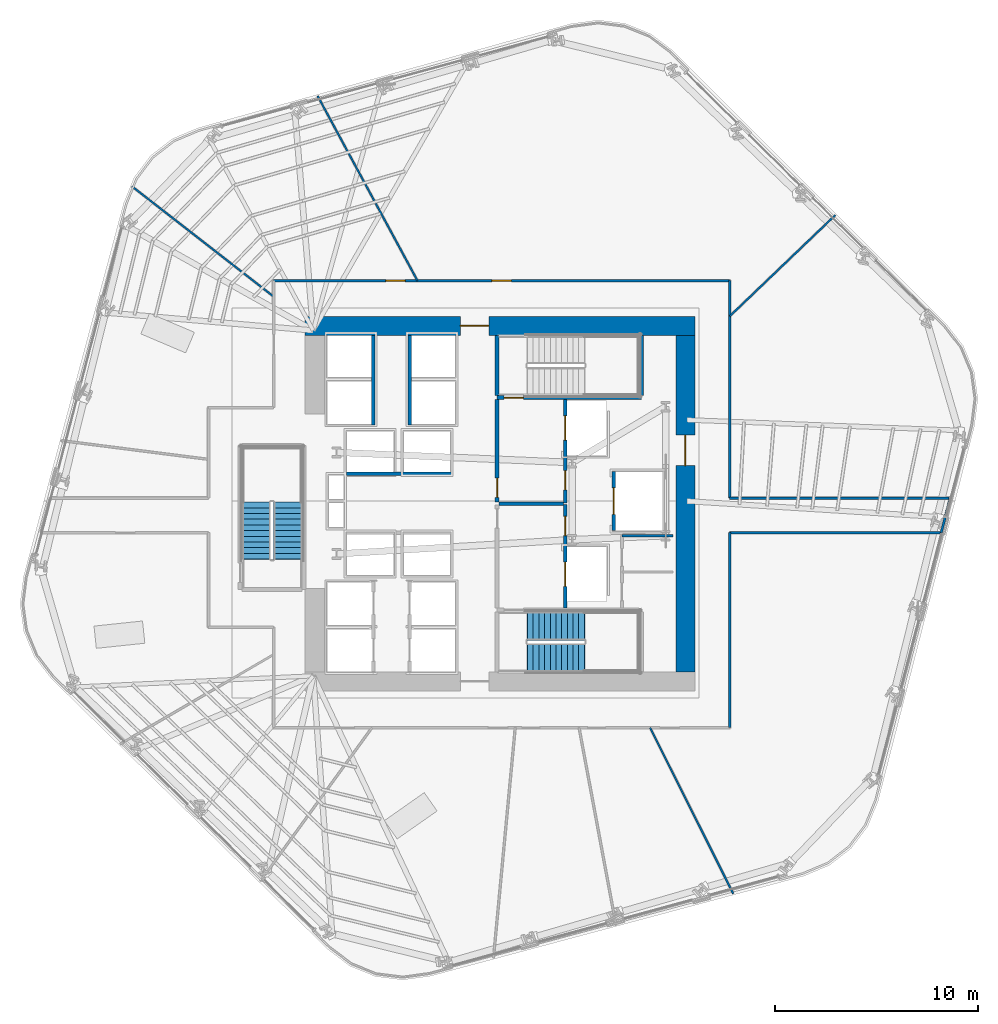
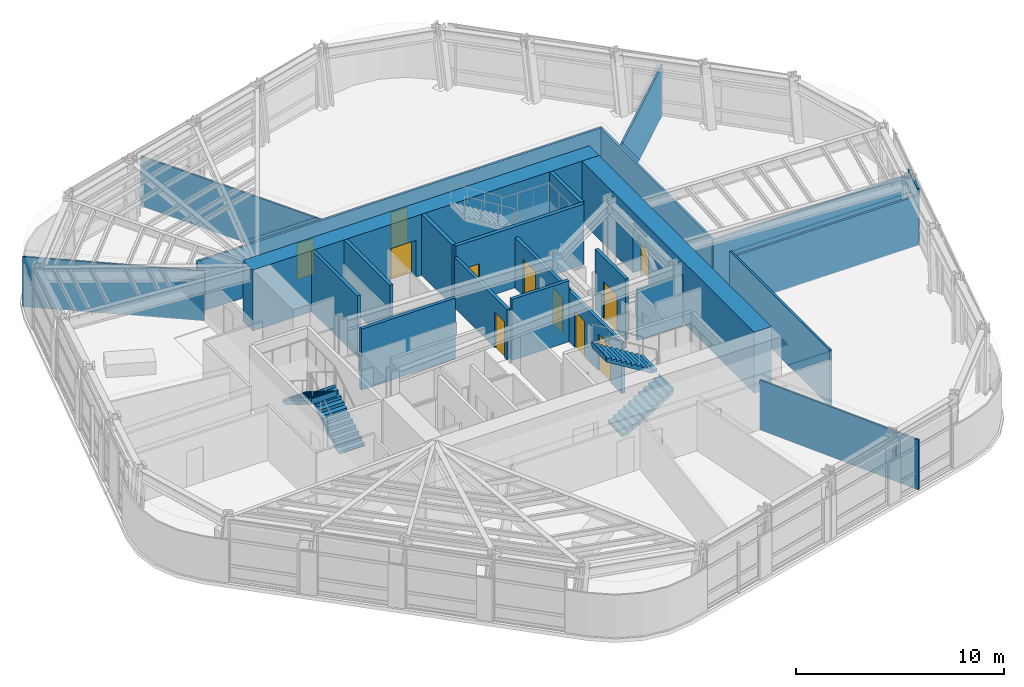
# One storey, part 9 of 16: 24 walls, 11 doors, 4 stair flights, 11 openings, 2 elements without a shape of their own.
"""IFC4 building model written with IfcOpenShell, lengths in metres."""

from ifc_helpers import new_model, si_unit, direction, frame, frame_2d, origin, place, context, subcontext, project, spatial, polyline, rectangle, outline, extrude, material, layer, layer_set, type_object, element, fill, aggregate, save


model = new_model("IFC4")

# Units and contexts
model_context = context("Model", 3, precision=1e-05, world=origin(), true_north=direction((0.0, 1.0)))
body_context = subcontext(model_context, "Body", "Model", "MODEL_VIEW")
ifc_project = project(units=[si_unit("LENGTHUNIT", "METRE"), si_unit("AREAUNIT", "SQUARE_METRE"), si_unit("VOLUMEUNIT", "CUBIC_METRE"), si_unit("PLANEANGLEUNIT", "RADIAN"), si_unit("MASSUNIT", "GRAM", prefix="KILO")], contexts=[model_context])

# Site, building, storey
site_placement = place(None, origin())
site = spatial("IfcSite", under=ifc_project, at=site_placement, CompositionType="ELEMENT")
building_placement = place(site_placement, origin())
building = spatial("IfcBuilding", under=site, at=building_placement, Name="Valkerne Bourse Tower", CompositionType="ELEMENT")
storey_placement = place(building_placement, frame((0.0, 0.0, 89.60009765625)))
storey = spatial("IfcBuildingStorey", under=building, at=storey_placement, Name="L22", CompositionType="ELEMENT", Elevation=89.60009765625)

# Wall, opening, door
ifc_material_1 = material(Name="Concrete C70/85", Category="concrete")
ifc_layer_1 = layer(ifc_material_1, 0.949951171875)
ifc_layer_set_1 = layer_set([ifc_layer_1], Name="Concrete C70/85")
wall_type_1 = type_object("IfcWallType", Name="W-CORE-950", PredefinedType="SHEAR", material=ifc_layer_set_1)
wall_1_placement = place(storey_placement, frame((37.199951171875, 35.625, 0.0), z_axis=(0.0, 0.0, 1.0), x_axis=(1.0, 0.0, 0.0)))
wall_1 = element("IfcWall", 1, at=wall_1_placement, inside=storey, type_object=wall_type_1, Name="L22 Core Shear Wall NORTH", PredefinedType="SHEAR", context=body_context, shape_type="SweptSolid", body=[
    extrude(rectangle(XDim=19.199951171875, YDim=0.949951171875, at=frame_2d((9.60009765625, 0.0))), origin(), (0.0, 0.0, 1.0), 3.579833984375),
])
opening_1_placement = place(wall_1_placement, frame((7.64990234375, 0.0, 0.0)))
opening_1 = element("IfcOpeningElement", 2, at=opening_1_placement, cuts=wall_1, Name="Opening D-PL-1400", PredefinedType="OPENING", context=body_context, shape_type="SweptSolid", body=[
    extrude(rectangle(XDim=1.39990234375, YDim=2.14990234375, at=frame_2d((0.699951171875, 1.074951171875))), frame((0.0, 0.48486328125, 0.0), z_axis=(0.0, -1.0, 0.0), x_axis=(1.0, 0.0, 0.0)), (0.0, 0.0, 1.0), 0.969970703125),
])
ifc_material_2 = material(Name="Galvanised Painted Steel", Category="steel")
door_type_1 = type_object("IfcDoorType", Name="DR-PLT-1400", OperationType="DOUBLE_DOOR_SINGLE_SWING", PredefinedType="DOOR", material=ifc_material_2)
door_1_placement = place(opening_1_placement, origin())
door_1 = element("IfcDoor", 3, at=door_1_placement, inside=storey, type_object=door_type_1, Name="L22 North Passenger Lift Hall Fire Door", OperationType="DOUBLE_DOOR_SINGLE_SWING", OverallHeight=2.14990234375, OverallWidth=1.39990234375, PredefinedType="DOOR", context=body_context, shape_type="SweptSolid", body=[
    extrude(rectangle(XDim=1.39990234375, YDim=2.14990234375, at=frame_2d((0.699951171875, 1.074951171875))), frame((0.0, 0.02490234375, 0.0), z_axis=(0.0, -1.0, 0.0), x_axis=(1.0, 0.0, 0.0)), (0.0, 0.0, 1.0), 0.050048828125),
])
fill(opening_1, door_1)

wall_2_placement = place(storey_placement, frame((55.925048828125, 18.60009765625, 0.0), z_axis=(0.0, 0.0, 1.0), x_axis=(0.0, 1.0, 0.0)))
wall_2 = element("IfcWall", 4, at=wall_2_placement, inside=storey, type_object=wall_type_1, Name="L22 Core Shear Wall EAST", PredefinedType="SHEAR", context=body_context, shape_type="SweptSolid", body=[
    extrude(rectangle(XDim=16.5498046875, YDim=0.949951171875, at=frame_2d((8.27490234375, 0.0))), origin(), (0.0, 0.0, 1.0), 3.579833984375),
])
opening_2_placement = place(wall_2_placement, frame((10.14990234375, 0.0, 0.0)))
opening_2 = element("IfcOpeningElement", 5, at=opening_2_placement, cuts=wall_2, Name="Opening D-CR-1500", PredefinedType="OPENING", context=body_context, shape_type="SweptSolid", body=[
    extrude(rectangle(XDim=1.5, YDim=2.14990234375, at=frame_2d((0.75, 1.074951171875))), frame((0.0, 0.48486328125, 0.0), z_axis=(0.0, -1.0, 0.0), x_axis=(1.0, 0.0, 0.0)), (0.0, 0.0, 1.0), 0.969970703125),
])
door_type_2 = type_object("IfcDoorType", Name="DR-CORR-1500", OperationType="DOUBLE_DOOR_SINGLE_SWING", PredefinedType="DOOR", material=ifc_material_2)
door_2_placement = place(opening_2_placement, origin())
door_2 = element("IfcDoor", 6, at=door_2_placement, inside=storey, type_object=door_type_2, Name="L22 East Core Service Lobby Fire Door", OperationType="DOUBLE_DOOR_SINGLE_SWING", OverallHeight=2.14990234375, OverallWidth=1.5, PredefinedType="DOOR", context=body_context, shape_type="SweptSolid", body=[
    extrude(rectangle(XDim=1.5, YDim=2.14990234375, at=frame_2d((0.75, 1.074951171875))), frame((0.0, 0.02490234375, 0.0), z_axis=(0.0, -1.0, 0.0), x_axis=(1.0, 0.0, 0.0)), (0.0, 0.0, 1.0), 0.050048828125),
])
fill(opening_2, door_2)

# Walls
ifc_material_3 = material(Name="Gypsum Board Steel-Stud Partition", Category="steel")
ifc_layer_2 = layer(ifc_material_3, 0.117919921875)
ifc_layer_set_2 = layer_set([ifc_layer_2], Name="Gypsum Board Steel-Stud Partition")
wall_type_2 = type_object("IfcWallType", Name="W-CORR-140", PredefinedType="PARTITIONING", material=ifc_layer_set_2)
wall_3_placement = place(storey_placement, frame((58.10009765625, 27.14990234375, 0.0), z_axis=(0.0, 0.0, 1.0), x_axis=(1.0, 0.0, 0.0)))
element("IfcWall", 7, at=wall_3_placement, inside=storey, type_object=wall_type_2, Name="L22 Corridor Enclosure Wall", PredefinedType="PARTITIONING", context=body_context, shape_type="SweptSolid", body=[
    extrude(rectangle(XDim=10.80859375, YDim=0.117919921875, at=frame_2d((5.404296875, 0.0))), origin(), (0.0, 0.0, 1.0), 2.92236328125),
])
wall_4_placement = place(storey_placement, frame((68.9423828125, 27.1064453125, 0.0), z_axis=(0.0, 0.0, 1.0), x_axis=(-0.24854364553, -0.968620697831, 0.0)))
element("IfcWall", 8, at=wall_4_placement, inside=storey, type_object=wall_type_2, Name="L22 Corridor Enclosure Wall", PredefinedType="PARTITIONING", context=body_context, shape_type="SweptSolid", body=[
    extrude(rectangle(XDim=1.710205078125, YDim=0.117919921875, at=frame_2d((0.85498046875, 0.0))), origin(), (0.0, 0.0, 1.0), 3.27978515625),
])
wall_5_placement = place(storey_placement, frame((68.517333984375, 25.449951171875, 0.0), z_axis=(0.0, 0.0, 1.0), x_axis=(-1.0, 0.0, 0.0)))
element("IfcWall", 9, at=wall_5_placement, inside=storey, type_object=wall_type_2, Name="L22 Corridor Enclosure Wall", PredefinedType="PARTITIONING", context=body_context, shape_type="SweptSolid", body=[
    extrude(rectangle(XDim=10.417236328125, YDim=0.117919921875, at=frame_2d((5.20849609375, 0.0))), origin(), (0.0, 0.0, 1.0), 2.92236328125),
])
wall_6_placement = place(storey_placement, frame((58.10009765625, 25.449951171875, 0.0), z_axis=(0.0, 0.0, 1.0), x_axis=(0.0, -1.0, 0.0)))
element("IfcWall", 10, at=wall_6_placement, inside=storey, type_object=wall_type_2, Name="L22 Corridor Enclosure Wall", PredefinedType="PARTITIONING", context=body_context, shape_type="SweptSolid", body=[
    extrude(rectangle(XDim=9.599853515625, YDim=0.117919921875, at=frame_2d((4.7998046875, 0.0))), origin(), (0.0, 0.0, 1.0), 3.27978515625),
])

# Wall, openings, doors
wall_7_placement = place(storey_placement, frame((35.64990234375, 37.85009765625, 0.0), z_axis=(0.0, 0.0, 1.0), x_axis=(1.0, 0.0, 0.0)))
wall_7 = element("IfcWall", 11, at=wall_7_placement, inside=storey, type_object=wall_type_2, Name="L22 Corridor Enclosure Wall", PredefinedType="PARTITIONING", context=body_context, shape_type="SweptSolid", body=[
    extrude(rectangle(XDim=22.4501953125, YDim=0.117919921875, at=frame_2d((11.22509765625, 0.0))), origin(), (0.0, 0.0, 1.0), 3.021240234375),
])
opening_3_placement = place(wall_7_placement, frame((5.530029296875, 0.0, 0.0)))
opening_3 = element("IfcOpeningElement", 12, at=opening_3_placement, cuts=wall_7, Name="Opening D-OF-950", PredefinedType="OPENING", context=body_context, shape_type="SweptSolid", body=[
    extrude(rectangle(XDim=0.949951171875, YDim=2.10009765625, at=frame_2d((0.47509765625, 1.050048828125))), frame((0.0, 0.06884765625, 0.0), z_axis=(0.0, -1.0, 0.0), x_axis=(1.0, 0.0, 0.0)), (0.0, 0.0, 1.0), 0.137939453125),
])
opening_4_placement = place(wall_7_placement, frame((10.75, 0.0, 0.0)))
opening_4 = element("IfcOpeningElement", 13, at=opening_4_placement, cuts=wall_7, Name="Opening D-OF-950", PredefinedType="OPENING", context=body_context, shape_type="SweptSolid", body=[
    extrude(rectangle(XDim=0.949951171875, YDim=2.10009765625, at=frame_2d((0.47509765625, 1.050048828125))), frame((0.0, 0.06884765625, 0.0), z_axis=(0.0, -1.0, 0.0), x_axis=(1.0, 0.0, 0.0)), (0.0, 0.0, 1.0), 0.137939453125),
])
ifc_material_4 = material(Name="Architectural White Oak Timber", Category="wood")
door_type_3 = type_object("IfcDoorType", Name="DR-OFF-950", OperationType="NOTDEFINED", PredefinedType="DOOR", material=ifc_material_4)
door_3_placement = place(opening_3_placement, origin())
door_3 = element("IfcDoor", 14, at=door_3_placement, inside=storey, type_object=door_type_3, Name="L22 L22 Hospitality Catering Kitchen 4 Door", OperationType="SINGLE_SWING_LEFT", OverallHeight=2.10009765625, OverallWidth=0.949951171875, PredefinedType="DOOR", context=body_context, shape_type="SweptSolid", body=[
    extrude(rectangle(XDim=0.949951171875, YDim=2.10009765625, at=frame_2d((0.47509765625, 1.050048828125))), frame((0.0, 0.02490234375, 0.0), z_axis=(0.0, -1.0, 0.0), x_axis=(1.0, 0.0, 0.0)), (0.0, 0.0, 1.0), 0.050048828125),
])
fill(opening_3, door_3)
door_4_placement = place(opening_4_placement, origin())
door_4 = element("IfcDoor", 15, at=door_4_placement, inside=storey, type_object=door_type_3, Name="L22 L22 Occupational Wellness Clinic 8 Door", OperationType="SINGLE_SWING_RIGHT", OverallHeight=2.10009765625, OverallWidth=0.949951171875, PredefinedType="DOOR", context=body_context, shape_type="SweptSolid", body=[
    extrude(rectangle(XDim=0.949951171875, YDim=2.10009765625, at=frame_2d((0.47509765625, 1.050048828125))), frame((0.0, 0.02490234375, 0.0), z_axis=(0.0, -1.0, 0.0), x_axis=(1.0, 0.0, 0.0)), (0.0, 0.0, 1.0), 0.050048828125),
])
fill(opening_4, door_4)

# Walls
wall_8_placement = place(storey_placement, frame((58.10009765625, 37.85009765625, 0.0), z_axis=(0.0, 0.0, 1.0), x_axis=(0.0, -1.0, 0.0)))
element("IfcWall", 16, at=wall_8_placement, inside=storey, type_object=wall_type_2, Name="L22 Corridor Enclosure Wall", PredefinedType="PARTITIONING", context=body_context, shape_type="SweptSolid", body=[
    extrude(rectangle(XDim=10.7001953125, YDim=0.117919921875, at=frame_2d((5.35009765625, 0.0))), origin(), (0.0, 0.0, 1.0), 2.962890625),
])
ifc_material_5 = material(Name="Gypsum Fire-Rated Shaftwall", Category="gypsum")
ifc_layer_3 = layer(ifc_material_5, 0.179931640625)
ifc_layer_set_3 = layer_set([ifc_layer_3], Name="Gypsum Fire-Rated Shaftwall")
wall_type_3 = type_object("IfcWallType", Name="W-FSAE-180", PredefinedType="PARTITIONING", material=ifc_layer_set_3)
wall_9_placement = place(storey_placement, frame((46.739990234375, 26.8798828125, 0.0), z_axis=(0.0, 0.0, 1.0), x_axis=(1.0, 0.0, 0.0)))
element("IfcWall", 17, at=wall_9_placement, inside=storey, type_object=wall_type_3, Name="L22 FSAE-1/2 Lobby Dividing Fire Wall", PredefinedType="PARTITIONING", context=body_context, shape_type="SweptSolid", body=[
    extrude(rectangle(XDim=3.169921875, YDim=0.179931640625, at=frame_2d((1.5849609375, 0.0))), origin(), (0.0, 0.0, 1.0), 3.579833984375),
])

# Wall, opening, door
wall_10_placement = place(storey_placement, frame((46.64990234375, 26.9599609375, 0.0), z_axis=(0.0, 0.0, 1.0), x_axis=(0.0, 1.0, 0.0)))
wall_10 = element("IfcWall", 18, at=wall_10_placement, inside=storey, type_object=wall_type_3, Name="L22 FSAE-2 Lobby West Fire Wall", PredefinedType="PARTITIONING", context=body_context, shape_type="SweptSolid", body=[
    extrude(rectangle(XDim=5.0400390625, YDim=0.179931640625, at=frame_2d((2.52001953125, 0.0))), origin(), (0.0, 0.0, 1.0), 2.957763671875),
])
opening_5_placement = place(wall_10_placement, frame((0.219970703125, 0.0, 0.0)))
opening_5 = element("IfcOpeningElement", 19, at=opening_5_placement, cuts=wall_10, Name="Opening D-FS-950", PredefinedType="OPENING", context=body_context, shape_type="SweptSolid", body=[
    extrude(rectangle(XDim=0.949951171875, YDim=2.10009765625, at=frame_2d((0.47509765625, 1.050048828125))), frame((0.0, 0.099853515625, 0.0), z_axis=(0.0, -1.0, 0.0), x_axis=(1.0, 0.0, 0.0)), (0.0, 0.0, 1.0), 0.199951171875),
])
door_type_4 = type_object("IfcDoorType", Name="DR-FSAE-950", OperationType="NOTDEFINED", PredefinedType="DOOR", material=ifc_material_2)
door_5_placement = place(opening_5_placement, origin())
door_5 = element("IfcDoor", 20, at=door_5_placement, inside=storey, type_object=door_type_4, Name="L22 FSAE-2 Hall Link Fire Door", OperationType="SINGLE_SWING_RIGHT", OverallHeight=2.10009765625, OverallWidth=0.949951171875, PredefinedType="DOOR", context=body_context, shape_type="SweptSolid", body=[
    extrude(rectangle(XDim=0.949951171875, YDim=2.10009765625, at=frame_2d((0.47509765625, 1.050048828125))), frame((0.0, 0.02490234375, 0.0), z_axis=(0.0, -1.0, 0.0), x_axis=(1.0, 0.0, 0.0)), (0.0, 0.0, 1.0), 0.050048828125),
])
fill(opening_5, door_5)

# Wall, openings, doors
wall_11_placement = place(storey_placement, frame((50.0, 21.75, 0.0), z_axis=(0.0, 0.0, 1.0), x_axis=(0.0, 1.0, 0.0)))
wall_11 = element("IfcWall", 21, at=wall_11_placement, inside=storey, type_object=wall_type_3, Name="L22 FSAE-1 Lobby & Shaft Front Wall", PredefinedType="PARTITIONING", context=body_context, shape_type="SweptSolid", body=[
    extrude(rectangle(XDim=5.090087890625, YDim=0.179931640625, at=frame_2d((2.544921875, 0.0))), origin(), (0.0, 0.0, 1.0), 2.957763671875),
])
opening_6_placement = place(wall_11_placement, frame((1.050048828125, 0.0, 0.0)))
opening_6 = element("IfcOpeningElement", 22, at=opening_6_placement, cuts=wall_11, Name="Opening LD-1200", PredefinedType="OPENING", context=body_context, shape_type="SweptSolid", body=[
    extrude(rectangle(XDim=1.199951171875, YDim=2.14990234375, at=frame_2d((0.60009765625, 1.074951171875))), frame((0.0, 0.099853515625, 0.0), z_axis=(0.0, -1.0, 0.0), x_axis=(1.0, 0.0, 0.0)), (0.0, 0.0, 1.0), 0.199951171875),
])
opening_7_placement = place(wall_11_placement, frame((3.550048828125, 0.0, 0.0)))
opening_7 = element("IfcOpeningElement", 23, at=opening_7_placement, cuts=wall_11, Name="Opening D-FS-950", PredefinedType="OPENING", context=body_context, shape_type="SweptSolid", body=[
    extrude(rectangle(XDim=0.949951171875, YDim=2.10009765625, at=frame_2d((0.47509765625, 1.050048828125))), frame((0.0, 0.099853515625, 0.0), z_axis=(0.0, -1.0, 0.0), x_axis=(1.0, 0.0, 0.0)), (0.0, 0.0, 1.0), 0.199951171875),
])
door_6_placement = place(opening_7_placement, origin())
door_6 = element("IfcDoor", 24, at=door_6_placement, inside=storey, type_object=door_type_4, Name="L22 FSAE-1 Lobby Corridor Fire Door", OperationType="SINGLE_SWING_RIGHT", OverallHeight=2.10009765625, OverallWidth=0.949951171875, PredefinedType="DOOR", context=body_context, shape_type="SweptSolid", body=[
    extrude(rectangle(XDim=0.949951171875, YDim=2.10009765625, at=frame_2d((0.47509765625, 1.050048828125))), frame((0.0, 0.02490234375, 0.0), z_axis=(0.0, -1.0, 0.0), x_axis=(1.0, 0.0, 0.0)), (0.0, 0.0, 1.0), 0.050048828125),
])
fill(opening_7, door_6)
ifc_material_6 = material(Name="Stainless Steel AISI 316", Category="steel")
door_type_5 = type_object("IfcDoorType", Name="DR-LIFT-1200", OperationType="DOUBLE_DOOR_SLIDING", PredefinedType="DOOR", material=ifc_material_6)
door_7_placement = place(opening_6_placement, origin())
door_7 = element("IfcDoor", 25, at=door_7_placement, inside=storey, type_object=door_type_5, Name="L22 FSAE-1 Firefighting Lift Landing Door", OperationType="DOUBLE_DOOR_SLIDING", OverallHeight=2.14990234375, OverallWidth=1.199951171875, PredefinedType="DOOR", context=body_context, shape_type="SweptSolid", body=[
    extrude(rectangle(XDim=1.199951171875, YDim=2.14990234375, at=frame_2d((0.60009765625, 1.074951171875))), frame((0.0, 0.02490234375, 0.0), z_axis=(0.0, -1.0, 0.0), x_axis=(1.0, 0.0, 0.0)), (0.0, 0.0, 1.0), 0.050048828125),
])
fill(opening_6, door_7)

wall_12_placement = place(storey_placement, frame((50.0, 26.919921875, 0.0), z_axis=(0.0, 0.0, 1.0), x_axis=(0.0, 1.0, 0.0)))
wall_12 = element("IfcWall", 26, at=wall_12_placement, inside=storey, type_object=wall_type_3, Name="L22 FSAE-2 Lobby & Shaft Front Wall", PredefinedType="PARTITIONING", context=body_context, shape_type="SweptSolid", body=[
    extrude(rectangle(XDim=5.080078125, YDim=0.179931640625, at=frame_2d((2.5400390625, 0.0))), origin(), (0.0, 0.0, 1.0), 2.957763671875),
])
opening_8_placement = place(wall_12_placement, frame((3.080078125, 0.0, 0.0)))
opening_8 = element("IfcOpeningElement", 27, at=opening_8_placement, cuts=wall_12, Name="Opening LD-1200", PredefinedType="OPENING", context=body_context, shape_type="SweptSolid", body=[
    extrude(rectangle(XDim=1.199951171875, YDim=2.14990234375, at=frame_2d((0.60009765625, 1.074951171875))), frame((0.0, 0.099853515625, 0.0), z_axis=(0.0, -1.0, 0.0), x_axis=(1.0, 0.0, 0.0)), (0.0, 0.0, 1.0), 0.199951171875),
])
opening_9_placement = place(wall_12_placement, frame((0.6298828125, 0.0, 0.0)))
opening_9 = element("IfcOpeningElement", 28, at=opening_9_placement, cuts=wall_12, Name="Opening D-FS-950", PredefinedType="OPENING", context=body_context, shape_type="SweptSolid", body=[
    extrude(rectangle(XDim=0.949951171875, YDim=2.10009765625, at=frame_2d((0.47509765625, 1.050048828125))), frame((0.0, 0.099853515625, 0.0), z_axis=(0.0, -1.0, 0.0), x_axis=(1.0, 0.0, 0.0)), (0.0, 0.0, 1.0), 0.199951171875),
])
door_8_placement = place(opening_9_placement, origin())
door_8 = element("IfcDoor", 29, at=door_8_placement, inside=storey, type_object=door_type_4, Name="L22 FSAE-2 Lobby Corridor Fire Door", OperationType="SINGLE_SWING_RIGHT", OverallHeight=2.10009765625, OverallWidth=0.949951171875, PredefinedType="DOOR", context=body_context, shape_type="SweptSolid", body=[
    extrude(rectangle(XDim=0.949951171875, YDim=2.10009765625, at=frame_2d((0.47509765625, 1.050048828125))), frame((0.0, 0.02490234375, 0.0), z_axis=(0.0, -1.0, 0.0), x_axis=(1.0, 0.0, 0.0)), (0.0, 0.0, 1.0), 0.050048828125),
])
fill(opening_9, door_8)
door_9_placement = place(opening_8_placement, origin())
door_9 = element("IfcDoor", 30, at=door_9_placement, inside=storey, type_object=door_type_5, Name="L22 FSAE-2 Firefighting Lift Landing Door", OperationType="DOUBLE_DOOR_SLIDING", OverallHeight=2.14990234375, OverallWidth=1.199951171875, PredefinedType="DOOR", context=body_context, shape_type="SweptSolid", body=[
    extrude(rectangle(XDim=1.199951171875, YDim=2.14990234375, at=frame_2d((0.60009765625, 1.074951171875))), frame((0.0, 0.02490234375, 0.0), z_axis=(0.0, -1.0, 0.0), x_axis=(1.0, 0.0, 0.0)), (0.0, 0.0, 1.0), 0.050048828125),
])
fill(opening_8, door_9)

# Wall, opening, door
ifc_material_7 = material(Name="CMU Blockwork Masonry 200mm", Category="masonry")
ifc_layer_4 = layer(ifc_material_7, 0.179931640625)
ifc_layer_set_4 = layer_set([ifc_layer_4], Name="CMU Blockwork Masonry 200mm")
wall_type_4 = type_object("IfcWallType", Name="W-LFT-180", PredefinedType="SOLIDWALL", material=ifc_layer_set_4)
wall_13_placement = place(storey_placement, frame((52.39990234375, 25.550048828125, 0.0), z_axis=(0.0, 0.0, 1.0), x_axis=(0.0, 1.0, 0.0)))
wall_13 = element("IfcWall", 31, at=wall_13_placement, inside=storey, type_object=wall_type_4, Name="L22 Service Lift SV-1 Front Wall", PredefinedType="SOLIDWALL", context=body_context, shape_type="SweptSolid", body=[
    extrude(rectangle(XDim=2.89990234375, YDim=0.179931640625, at=frame_2d((1.449951171875, 0.0))), origin(), (0.0, 0.0, 1.0), 3.579833984375),
])
opening_10_placement = place(wall_13_placement, frame((0.800048828125, 0.0, 0.0)))
opening_10 = element("IfcOpeningElement", 32, at=opening_10_placement, cuts=wall_13, Name="Opening LD-1300", PredefinedType="OPENING", context=body_context, shape_type="SweptSolid", body=[
    extrude(rectangle(XDim=1.300048828125, YDim=2.14990234375, at=frame_2d((0.64990234375, 1.074951171875))), frame((0.0, 0.099853515625, 0.0), z_axis=(0.0, -1.0, 0.0), x_axis=(1.0, 0.0, 0.0)), (0.0, 0.0, 1.0), 0.199951171875),
])
door_type_6 = type_object("IfcDoorType", Name="DR-LIFT-1300", OperationType="DOUBLE_DOOR_SLIDING", PredefinedType="DOOR", material=ifc_material_6)
door_10_placement = place(opening_10_placement, origin())
door_10 = element("IfcDoor", 33, at=door_10_placement, inside=storey, type_object=door_type_6, Name="L22 Service Lift SV-1 Landing Door", OperationType="DOUBLE_DOOR_SLIDING", OverallHeight=2.14990234375, OverallWidth=1.300048828125, PredefinedType="DOOR", context=body_context, shape_type="SweptSolid", body=[
    extrude(rectangle(XDim=1.300048828125, YDim=2.14990234375, at=frame_2d((0.64990234375, 1.074951171875))), frame((0.0, 0.02490234375, 0.0), z_axis=(0.0, -1.0, 0.0), x_axis=(1.0, 0.0, 0.0)), (0.0, 0.0, 1.0), 0.050048828125),
])
fill(opening_10, door_10)

# Walls
for number, where, z_axis, x_axis, name in (
    (34, (40.550048828125, 30.75, 0.0), (0.0, 0.0, 1.0), (0.0, 1.0, 0.0), "L22 Mid-Zone West Cars Front Wall"),
    (35, (42.35009765625, 30.75, 0.0), (0.0, 0.0, 1.0), (0.0, 1.0, 0.0), "L22 Mid-Zone East Cars Front Wall"),
):
    element("IfcWall", number, at=place(storey_placement, frame(where, z_axis=z_axis, x_axis=x_axis)), inside=storey, type_object=wall_type_4, Name=name, PredefinedType="SOLIDWALL", context=body_context, shape_type="SweptSolid", body=[
        extrude(rectangle(XDim=4.39990234375, YDim=0.179931640625, at=frame_2d((2.199951171875, 0.0))), origin(), (0.0, 0.0, 1.0), 3.579833984375),
    ])
wall_14_placement = place(storey_placement, frame((39.25, 28.35009765625, 0.0), z_axis=(0.0, 0.0, 1.0), x_axis=(1.0, 0.0, 0.0)))
element("IfcWall", 36, at=wall_14_placement, inside=storey, type_object=wall_type_4, Name="L22 High-Zone North Cars Front Wall", PredefinedType="SOLIDWALL", context=body_context, shape_type="SweptSolid", body=[
    extrude(rectangle(XDim=5.199951171875, YDim=0.179931640625, at=frame_2d((2.60009765625, 0.0))), origin(), (0.0, 0.0, 1.0), 3.579833984375),
])
ifc_layer_5 = layer(ifc_material_3, 0.092041015625)
ifc_layer_set_5 = layer_set([ifc_layer_5], Name="Gypsum Board Steel-Stud Partition")
wall_type_5 = type_object("IfcWallType", Name="W-PART-115", PredefinedType="PARTITIONING", material=ifc_layer_set_5)
wall_15_placement = place(storey_placement, frame((54.18603515625, 15.844970703125, 0.0), z_axis=(0.0, 0.0, 1.0), x_axis=(0.447748268071, -0.894159654893, 0.0)))
element("IfcWall", 37, at=wall_15_placement, inside=storey, type_object=wall_type_5, Name="L22 Suite Partition P03", PredefinedType="PARTITIONING", context=body_context, shape_type="SweptSolid", body=[
    extrude(rectangle(XDim=9.130859375, YDim=0.092041015625, at=frame_2d((4.5654296875, 0.0))), origin(), (0.0, 0.0, 1.0), 2.92236328125),
])
wall_16_placement = place(storey_placement, frame((58.10498046875, 36.103759765625, 0.0), z_axis=(0.0, 0.0, 1.0), x_axis=(0.722198461469, 0.691685898549, 0.0)))
element("IfcWall", 38, at=wall_16_placement, inside=storey, type_object=wall_type_5, Name="L22 Suite Partition P04", PredefinedType="PARTITIONING", context=body_context, shape_type="SweptSolid", body=[
    extrude(rectangle(XDim=7.201171875, YDim=0.092041015625, at=frame_2d((3.6005859375, 0.0))), origin(), (0.0, 0.0, 1.0), 2.92236328125),
])
wall_17_placement = place(storey_placement, frame((42.7314453125, 37.85498046875, 0.0), z_axis=(0.0, 0.0, 1.0), x_axis=(-0.475569390832, 0.87967821077, 0.0)))
element("IfcWall", 39, at=wall_17_placement, inside=storey, type_object=wall_type_5, Name="L22 Suite Partition P05", PredefinedType="PARTITIONING", context=body_context, shape_type="SweptSolid", body=[
    extrude(rectangle(XDim=10.338134765625, YDim=0.092041015625, at=frame_2d((5.1689453125, 0.0))), origin(), (0.0, 0.0, 1.0), 2.92236328125),
])
wall_18_placement = place(storey_placement, frame((35.64501953125, 37.07568359375, 0.0), z_axis=(0.0, 0.0, 1.0), x_axis=(-0.789364129846, 0.613925297176, 0.0)))
element("IfcWall", 40, at=wall_18_placement, inside=storey, type_object=wall_type_5, Name="L22 Suite Partition P06", PredefinedType="PARTITIONING", context=body_context, shape_type="SweptSolid", body=[
    extrude(rectangle(XDim=8.828369140625, YDim=0.092041015625, at=frame_2d((4.4140625, 0.0))), origin(), (0.0, 0.0, 1.0), 2.92236328125),
])

# Wall, opening, door
ifc_material_8 = material(Name="Concrete C40/50", Category="concrete")
ifc_layer_6 = layer(ifc_material_8, 0.199951171875)
ifc_layer_set_6 = layer_set([ifc_layer_6], Name="Concrete C40/50")
wall_type_6 = type_object("IfcWallType", Name="W-SHF-200", PredefinedType="SHEAR", material=ifc_layer_set_6)
wall_19_placement = place(storey_placement, frame((46.64990234375, 32.10009765625, 0.0), z_axis=(0.0, 0.0, 1.0), x_axis=(1.0, 0.0, 0.0)))
wall_19 = element("IfcWall", 41, at=wall_19_placement, inside=storey, type_object=wall_type_6, Name="L22 Exit Stair ST-2 Structural Shaft Wall South", PredefinedType="SHEAR", context=body_context, shape_type="SweptSolid", body=[
    extrude(rectangle(XDim=7.10009765625, YDim=0.199951171875, at=frame_2d((3.550048828125, 0.0))), origin(), (0.0, 0.0, 1.0), 3.579833984375),
])
opening_11_placement = place(wall_19_placement, frame((0.35009765625, 0.0, 0.0)))
opening_11 = element("IfcOpeningElement", 42, at=opening_11_placement, cuts=wall_19, Name="Opening D-ST-950", PredefinedType="OPENING", context=body_context, shape_type="SweptSolid", body=[
    extrude(rectangle(XDim=0.949951171875, YDim=2.10009765625, at=frame_2d((0.47509765625, 1.050048828125))), frame((0.0, 0.10986328125, 0.0), z_axis=(0.0, -1.0, 0.0), x_axis=(1.0, 0.0, 0.0)), (0.0, 0.0, 1.0), 0.219970703125),
])
door_type_7 = type_object("IfcDoorType", Name="DR-STAIR-950", OperationType="NOTDEFINED", PredefinedType="DOOR", material=ifc_material_2)
door_11_placement = place(opening_11_placement, origin())
door_11 = element("IfcDoor", 43, at=door_11_placement, inside=storey, type_object=door_type_7, Name="L22 Exit Stair ST-2 Door", OperationType="SINGLE_SWING_RIGHT", OverallHeight=2.10009765625, OverallWidth=0.949951171875, PredefinedType="DOOR", context=body_context, shape_type="SweptSolid", body=[
    extrude(rectangle(XDim=0.949951171875, YDim=2.10009765625, at=frame_2d((0.47509765625, 1.050048828125))), frame((0.0, 0.02490234375, 0.0), z_axis=(0.0, -1.0, 0.0), x_axis=(1.0, 0.0, 0.0)), (0.0, 0.0, 1.0), 0.050048828125),
])
fill(opening_11, door_11)

# Walls
for number, where, z_axis, x_axis, name in (
    (44, (46.64990234375, 32.199951171875, 0.0), (0.0, 0.0, 1.0), (0.0, 1.0, 0.0), "L22 Exit Stair ST-2 Structural Shaft Wall West"),
    (45, (53.75, 32.199951171875, 0.0), (0.0, 0.0, 1.0), (0.0, 1.0, 0.0), "L22 Exit Stair ST-2 Structural Shaft Wall East"),
):
    element("IfcWall", number, at=place(storey_placement, frame(where, z_axis=z_axis, x_axis=x_axis)), inside=storey, type_object=wall_type_6, Name=name, PredefinedType="SHEAR", context=body_context, shape_type="SweptSolid", body=[
        extrude(rectangle(XDim=2.949951171875, YDim=0.199951171875, at=frame_2d((1.47509765625, 0.0))), origin(), (0.0, 0.0, 1.0), 3.579833984375),
    ])
ifc_material_9 = material(Name="Moisture-Resistant Gypsum Partition", Category="gypsum")
ifc_layer_7 = layer(ifc_material_9, 0.139892578125)
ifc_layer_set_7 = layer_set([ifc_layer_7], Name="Moisture-Resistant Gypsum Partition")
wall_type_7 = type_object("IfcWallType", Name="W-WET-140", PredefinedType="PARTITIONING", material=ifc_layer_set_7)
wall_20_placement = place(storey_placement, frame((52.800048828125, 25.300048828125, 0.0), z_axis=(0.0, 0.0, 1.0), x_axis=(1.0, 0.0, 0.0)))
element("IfcWall", 46, at=wall_20_placement, inside=storey, type_object=wall_type_7, Name="L22 Core SE Dual North Wall", PredefinedType="PARTITIONING", context=body_context, shape_type="SweptSolid", body=[
    extrude(rectangle(XDim=2.52001953125, YDim=0.139892578125, at=frame_2d((1.260009765625, 0.0))), origin(), (0.0, 0.0, 1.0), 2.957763671875),
])

# Stair, stair flights
stair_type = type_object("IfcStairType", Name="ST-CORE-1400", PredefinedType="HALF_TURN_STAIR", material=ifc_material_8)
stair_1_placement = place(storey_placement, origin())
stair_1 = element("IfcStair", 47, at=stair_1_placement, inside=storey, type_object=stair_type, Name="L22 ST-1", PredefinedType="HALF_TURN_STAIR")
stair_flight_type = type_object("IfcStairFlightType", Name="STF-CORE-1400", PredefinedType="STRAIGHT", material=ifc_material_8)
stair_flight_1_placement = place(storey_placement, frame((48.14990234375, 19.300048828125, 0.0), z_axis=(0.0, 0.0, 1.0), x_axis=(1.0, 0.0, 0.0)))
stair_flight_1 = element("IfcStairFlight", 48, at=stair_flight_1_placement, type_object=stair_flight_type, Name="ST-1 flight 1", NumberOfRisers=11, NumberOfTreads=10, PredefinedType="STRAIGHT", RiserHeight=0.172727273, TreadLength=0.28, context=body_context, shape_type="SweptSolid", body=[
    extrude(outline(polyline([(-0.02001953125, 0.0), (-0.02001953125, 0.044921875), (0.0, 0.044921875), (0.0, 0.172607421875), (0.280029296875, 0.172607421875), (0.280029296875, 0.345458984375), (0.56005859375, 0.345458984375), (0.56005859375, 0.51806640625), (0.840087890625, 0.51806640625), (0.840087890625, 0.69091796875), (1.1201171875, 0.69091796875), (1.1201171875, 0.863525390625), (1.39990234375, 0.863525390625), (1.39990234375, 1.036376953125), (1.679931640625, 1.036376953125), (1.679931640625, 1.208984375), (1.9599609375, 1.208984375), (1.9599609375, 1.3818359375), (2.239990234375, 1.3818359375), (2.239990234375, 1.554443359375), (2.52001953125, 1.554443359375), (2.52001953125, 1.727294921875), (2.800048828125, 1.727294921875), (2.800048828125, 1.89990234375), (2.820068359375, 1.89990234375), (2.820068359375, 1.780029296875), (2.800048828125, 1.551025390625), (0.285400390625, 0.0), (-0.02001953125, 0.0)])), frame((0.0, 0.699951171875, 0.0), z_axis=(0.0, -1.0, 0.0), x_axis=(1.0, 0.0, 0.0)), (0.0, 0.0, 1.0), 1.39990234375),
])
stair_flight_2_placement = place(storey_placement, frame((50.949951171875, 20.85009765625, 1.89990234375), z_axis=(0.0, 0.0, 1.0), x_axis=(-1.0, 0.0, 0.0)))
stair_flight_2 = element("IfcStairFlight", 49, at=stair_flight_2_placement, type_object=stair_flight_type, Name="ST-1 flight 2", NumberOfRisers=11, NumberOfTreads=10, PredefinedType="STRAIGHT", RiserHeight=0.172727273, TreadLength=0.28, context=body_context, shape_type="SweptSolid", body=[
    extrude(outline(polyline([(-0.02001953125, 0.0), (-0.02001953125, 0.044921875), (0.0, 0.044921875), (0.0, 0.172607421875), (0.280029296875, 0.172607421875), (0.280029296875, 0.345458984375), (0.56005859375, 0.345458984375), (0.56005859375, 0.51806640625), (0.840087890625, 0.51806640625), (0.840087890625, 0.69091796875), (1.1201171875, 0.69091796875), (1.1201171875, 0.863525390625), (1.39990234375, 0.863525390625), (1.39990234375, 1.036376953125), (1.679931640625, 1.036376953125), (1.679931640625, 1.208984375), (1.9599609375, 1.208984375), (1.9599609375, 1.3818359375), (2.239990234375, 1.3818359375), (2.239990234375, 1.554443359375), (2.52001953125, 1.554443359375), (2.52001953125, 1.727294921875), (2.800048828125, 1.727294921875), (2.800048828125, 1.89990234375), (2.820068359375, 1.89990234375), (2.820068359375, 1.780029296875), (2.800048828125, 1.551025390625), (0.285400390625, 0.0), (-0.02001953125, 0.0)])), frame((0.0, 0.699951171875, 0.0), z_axis=(0.0, -1.0, 0.0), x_axis=(1.0, 0.0, 0.0)), (0.0, 0.0, 1.0), 1.39990234375),
])
aggregate(stair_1, [stair_flight_1, stair_flight_2])

stair_2_placement = place(storey_placement, origin())
stair_2 = element("IfcStair", 50, at=stair_2_placement, inside=storey, type_object=stair_type, Name="L22 ST-3", PredefinedType="HALF_TURN_STAIR")
stair_flight_3_placement = place(storey_placement, frame((36.35009765625, 24.14990234375, 0.0), z_axis=(0.0, 0.0, 1.0), x_axis=(0.0, 1.0, 0.0)))
stair_flight_3 = element("IfcStairFlight", 51, at=stair_flight_3_placement, type_object=stair_flight_type, Name="ST-3 flight 1", NumberOfRisers=11, NumberOfTreads=10, PredefinedType="STRAIGHT", RiserHeight=0.172727273, TreadLength=0.28, context=body_context, shape_type="SweptSolid", body=[
    extrude(outline(polyline([(-0.02001953125, 0.0), (-0.02001953125, 0.044921875), (0.0, 0.044921875), (0.0, 0.172607421875), (0.280029296875, 0.172607421875), (0.280029296875, 0.345458984375), (0.56005859375, 0.345458984375), (0.56005859375, 0.51806640625), (0.840087890625, 0.51806640625), (0.840087890625, 0.69091796875), (1.1201171875, 0.69091796875), (1.1201171875, 0.863525390625), (1.39990234375, 0.863525390625), (1.39990234375, 1.036376953125), (1.679931640625, 1.036376953125), (1.679931640625, 1.208984375), (1.9599609375, 1.208984375), (1.9599609375, 1.3818359375), (2.239990234375, 1.3818359375), (2.239990234375, 1.554443359375), (2.52001953125, 1.554443359375), (2.52001953125, 1.727294921875), (2.800048828125, 1.727294921875), (2.800048828125, 1.89990234375), (2.820068359375, 1.89990234375), (2.820068359375, 1.780029296875), (2.800048828125, 1.551025390625), (0.285400390625, 0.0), (-0.02001953125, 0.0)])), frame((0.0, 0.699951171875, 0.0), z_axis=(0.0, -1.0, 0.0), x_axis=(1.0, 0.0, 0.0)), (0.0, 0.0, 1.0), 1.39990234375),
])
stair_flight_4_placement = place(storey_placement, frame((34.800048828125, 26.949951171875, 1.89990234375), z_axis=(0.0, 0.0, 1.0), x_axis=(0.0, -1.0, 0.0)))
stair_flight_4 = element("IfcStairFlight", 52, at=stair_flight_4_placement, type_object=stair_flight_type, Name="ST-3 flight 2", NumberOfRisers=11, NumberOfTreads=10, PredefinedType="STRAIGHT", RiserHeight=0.172727273, TreadLength=0.28, context=body_context, shape_type="SweptSolid", body=[
    extrude(outline(polyline([(-0.02001953125, 0.0), (-0.02001953125, 0.044921875), (0.0, 0.044921875), (0.0, 0.172607421875), (0.280029296875, 0.172607421875), (0.280029296875, 0.345458984375), (0.56005859375, 0.345458984375), (0.56005859375, 0.51806640625), (0.840087890625, 0.51806640625), (0.840087890625, 0.69091796875), (1.1201171875, 0.69091796875), (1.1201171875, 0.863525390625), (1.39990234375, 0.863525390625), (1.39990234375, 1.036376953125), (1.679931640625, 1.036376953125), (1.679931640625, 1.208984375), (1.9599609375, 1.208984375), (1.9599609375, 1.3818359375), (2.239990234375, 1.3818359375), (2.239990234375, 1.554443359375), (2.52001953125, 1.554443359375), (2.52001953125, 1.727294921875), (2.800048828125, 1.727294921875), (2.800048828125, 1.89990234375), (2.820068359375, 1.89990234375), (2.820068359375, 1.780029296875), (2.800048828125, 1.551025390625), (0.285400390625, 0.0), (-0.02001953125, 0.0)])), frame((0.0, 0.699951171875, 0.0), z_axis=(0.0, -1.0, 0.0), x_axis=(1.0, 0.0, 0.0)), (0.0, 0.0, 1.0), 1.39990234375),
])
aggregate(stair_2, [stair_flight_3, stair_flight_4])

save(model, "model.ifc")
